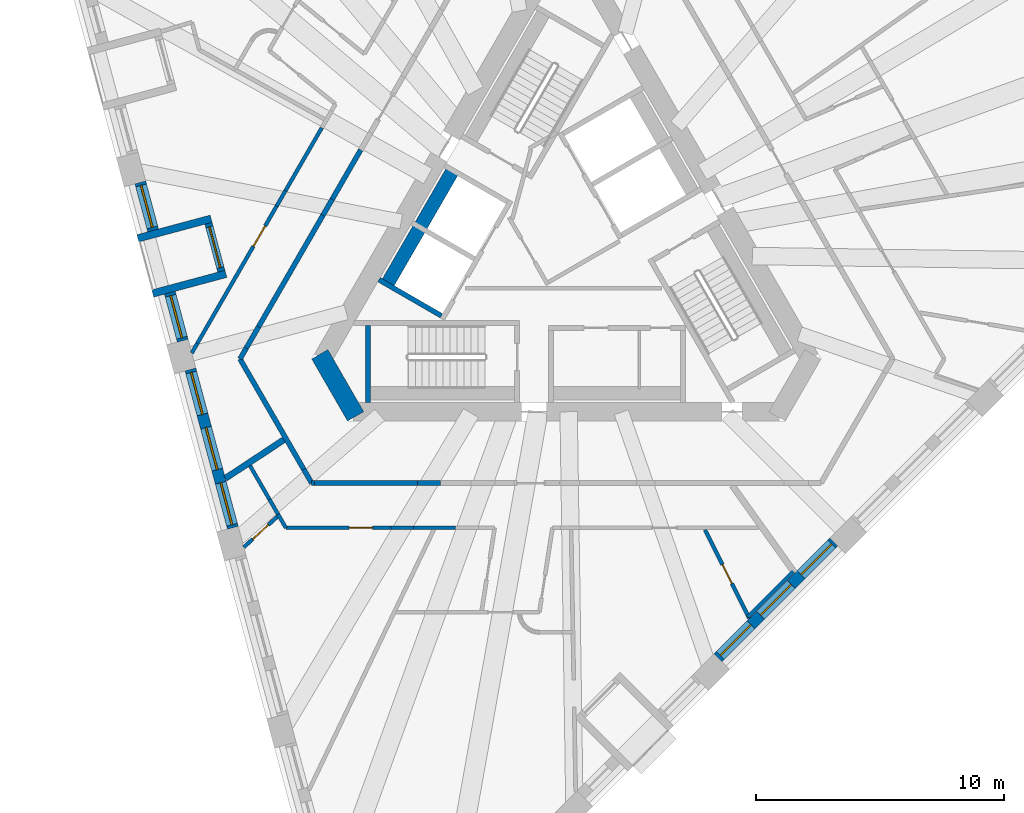
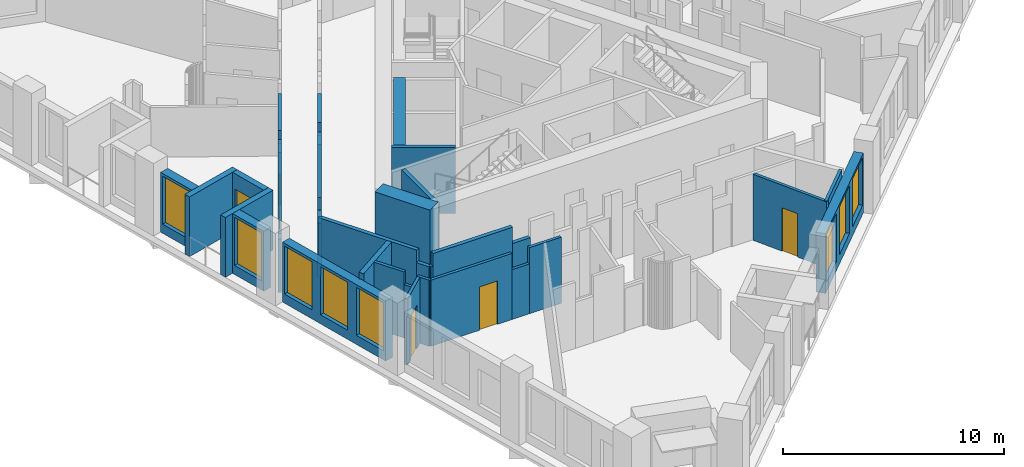
# One storey, part 3 of 13: 35 walls, 8 windows, 5 doors, 13 openings.
"""IFC4 building model written with IfcOpenShell, lengths in metres."""

from ifc_helpers import new_model, si_unit, direction, frame, frame_2d, origin, place, context, subcontext, project, spatial, rectangle, extrude, material, layer, layer_set, type_object, element, fill, save


model = new_model("IFC4")

# Units and contexts
model_context = context("Model", 3, precision=1e-05, world=origin(), true_north=direction((0.0, 1.0)))
body_context = subcontext(model_context, "Body", "Model", "MODEL_VIEW")
ifc_project = project(units=[si_unit("LENGTHUNIT", "METRE"), si_unit("AREAUNIT", "SQUARE_METRE"), si_unit("VOLUMEUNIT", "CUBIC_METRE"), si_unit("PLANEANGLEUNIT", "RADIAN"), si_unit("MASSUNIT", "GRAM", prefix="KILO")], contexts=[model_context])

# Site, building, storey
site_placement = place(None, origin())
site = spatial("IfcSite", under=ifc_project, at=site_placement, CompositionType="ELEMENT")
building_placement = place(site_placement, origin())
building = spatial("IfcBuilding", under=site, at=building_placement, Name="Tramontana Tower", CompositionType="ELEMENT")
storey_placement = place(building_placement, frame((0.0, 0.0, 212.0)))
storey = spatial("IfcBuildingStorey", under=building, at=storey_placement, Name="L49", CompositionType="ELEMENT", Elevation=212.0)

# Walls
ifc_material_1 = material(Name="Concrete 70 MPa", Category="concrete")
ifc_layer_1 = layer(ifc_material_1, 0.75)
ifc_layer_set_1 = layer_set([ifc_layer_1], Name="Core wall 750 70 MPa")
wall_type_1 = type_object("IfcWallType", Name="Core wall 750 70 MPa", PredefinedType="SHEAR", material=ifc_layer_set_1)
wall_1_placement = place(storey_placement, frame((-9.923095703125, -4.0625, 0.0), z_axis=(0.0, 0.0, 1.0), x_axis=(0.499995765644, -0.866027848477, 0.0)))
element("IfcWall", 1, at=wall_1_placement, inside=storey, type_object=wall_type_1, Name="Core wall C2 L49", PredefinedType="SHEAR", context=body_context, shape_type="SweptSolid", body=[
    extrude(rectangle(XDim=2.88671875, YDim=0.75, at=frame_2d((1.443359375, 0.0))), origin(), (0.0, 0.0, 1.0), 4.0),
])
ifc_material_2 = material(Name="Blockwork", Category="masonry")
ifc_layer_2 = layer(ifc_material_2, 0.199951171875)
ifc_layer_set_2 = layer_set([ifc_layer_2], Name="ENTRY WALL 200")
wall_type_2 = type_object("IfcWallType", Name="ENTRY WALL 200", PredefinedType="SOLIDWALL", material=ifc_layer_set_2)
wall_2_placement = place(storey_placement, frame((-5.05615234375, -9.25, 0.0), z_axis=(0.0, 0.0, 1.0), x_axis=(-1.0, 0.0, 0.0)))
element("IfcWall", 2, at=wall_2_placement, inside=storey, type_object=wall_type_2, Name="Wall v51-ew2-11", PredefinedType="SOLIDWALL", context=body_context, shape_type="SweptSolid", body=[
    extrude(rectangle(XDim=0.931640625, YDim=0.199951171875, at=frame_2d((0.4658203125, 0.0))), origin(), (0.0, 0.0, 1.0), 2.75),
])
wall_3_placement = place(storey_placement, frame((-5.98779296875, -9.25, 0.0), z_axis=(0.0, 0.0, 1.0), x_axis=(-1.0, 0.0, 0.0)))
element("IfcWall", 3, at=wall_3_placement, inside=storey, type_object=wall_type_2, Name="Wall v51-ew2-12", PredefinedType="SOLIDWALL", context=body_context, shape_type="SweptSolid", body=[
    extrude(rectangle(XDim=4.1552734375, YDim=0.199951171875, at=frame_2d((2.07763671875, 0.0))), origin(), (0.0, 0.0, 1.0), 3.64990234375),
])
wall_4_placement = place(storey_placement, frame((-10.14306640625, -9.25, 0.0), z_axis=(0.0, 0.0, 1.0), x_axis=(-1.0, 0.0, 0.0)))
element("IfcWall", 4, at=wall_4_placement, inside=storey, type_object=wall_type_2, Name="Wall v51-ew2-13", PredefinedType="SOLIDWALL", context=body_context, shape_type="SweptSolid", body=[
    extrude(rectangle(XDim=0.10498046875, YDim=0.199951171875, at=frame_2d((0.052490234375, 0.0))), origin(), (0.0, 0.0, 1.0), 2.949951171875),
])
wall_5_placement = place(storey_placement, frame((-10.248046875, -9.25, 0.0), z_axis=(0.0, 0.0, 1.0), x_axis=(-0.499733411443, 0.86617926406, 0.0)))
element("IfcWall", 5, at=wall_5_placement, inside=storey, type_object=wall_type_2, Name="Wall v51-ew3-0", PredefinedType="SOLIDWALL", context=body_context, shape_type="SweptSolid", body=[
    extrude(rectangle(XDim=0.642822265625, YDim=0.199951171875, at=frame_2d((0.3212890625, 0.0))), origin(), (0.0, 0.0, 1.0), 2.949951171875),
])
wall_6_placement = place(storey_placement, frame((-10.5693359375, -8.693115234375, 0.0), z_axis=(0.0, 0.0, 1.0), x_axis=(-0.500028638513, 0.8660088687, 0.0)))
element("IfcWall", 6, at=wall_6_placement, inside=storey, type_object=wall_type_2, Name="Wall v51-ew3-1", PredefinedType="SOLIDWALL", context=body_context, shape_type="SweptSolid", body=[
    extrude(rectangle(XDim=5.130615234375, YDim=0.199951171875, at=frame_2d((2.5654296875, 0.0))), origin(), (0.0, 0.0, 1.0), 3.64990234375),
])
wall_7_placement = place(storey_placement, frame((-13.134765625, -4.25, 0.0), z_axis=(0.0, 0.0, 1.0), x_axis=(0.500002592159, 0.866023907196, 0.0)))
element("IfcWall", 7, at=wall_7_placement, inside=storey, type_object=wall_type_2, Name="Wall v51-ew4-0", PredefinedType="SOLIDWALL", context=body_context, shape_type="SweptSolid", body=[
    extrude(rectangle(XDim=0.5029296875, YDim=0.199951171875, at=frame_2d((0.25146484375, 0.0))), origin(), (0.0, 0.0, 1.0), 3.64990234375),
])
wall_8_placement = place(storey_placement, frame((-12.88330078125, -3.814453125, 0.0), z_axis=(0.0, 0.0, 1.0), x_axis=(0.500063959222, 0.865988473761, 0.0)))
element("IfcWall", 8, at=wall_8_placement, inside=storey, type_object=wall_type_2, Name="Wall v51-ew4-1", PredefinedType="SOLIDWALL", context=body_context, shape_type="SweptSolid", body=[
    extrude(rectangle(XDim=0.989990234375, YDim=0.199951171875, at=frame_2d((0.4951171875, 0.0))), origin(), (0.0, 0.0, 1.0), 2.949951171875),
])
wall_9_placement = place(storey_placement, frame((-12.38818359375, -2.95703125, 0.0), z_axis=(0.0, 0.0, 1.0), x_axis=(0.499990271856, 0.866031020258, 0.0)))
element("IfcWall", 9, at=wall_9_placement, inside=storey, type_object=wall_type_2, Name="Wall v51-ew4-2", PredefinedType="SOLIDWALL", context=body_context, shape_type="SweptSolid", body=[
    extrude(rectangle(XDim=5.181640625, YDim=0.199951171875, at=frame_2d((2.5908203125, 0.0))), origin(), (0.0, 0.0, 1.0), 3.64990234375),
])
wall_10_placement = place(storey_placement, frame((-9.79736328125, 1.530517578125, 0.0), z_axis=(0.0, 0.0, 1.0), x_axis=(0.499931655587, 0.866064858854, 0.0)))
element("IfcWall", 10, at=wall_10_placement, inside=storey, type_object=wall_type_2, Name="Wall v51-ew4-3", PredefinedType="SOLIDWALL", context=body_context, shape_type="SweptSolid", body=[
    extrude(rectangle(XDim=0.74072265625, YDim=0.199951171875, at=frame_2d((0.370361328125, 0.0))), origin(), (0.0, 0.0, 1.0), 2.949951171875),
])
wall_11_placement = place(storey_placement, frame((-9.427001953125, 2.172119140625, 0.0), z_axis=(0.0, 0.0, 1.0), x_axis=(0.500013761451, 0.866017458461, 0.0)))
element("IfcWall", 11, at=wall_11_placement, inside=storey, type_object=wall_type_2, Name="Wall v51-ew4-4", PredefinedType="SOLIDWALL", context=body_context, shape_type="SweptSolid", body=[
    extrude(rectangle(XDim=2.29736328125, YDim=0.199951171875, at=frame_2d((1.148681640625, 0.0))), origin(), (0.0, 0.0, 1.0), 3.64990234375),
])

# Wall, opening, window
ifc_material_3 = material(Name="Precast concrete 60 MPa", Category="concrete")
ifc_layer_3 = layer(ifc_material_3, 0.449951171875)
ifc_layer_set_3 = layer_set([ifc_layer_3], Name="Precast concrete 60 MPa, 450 mm")
wall_type_3 = type_object("IfcWallType", Name="EW1 Stone-faced precast wall 450", PredefinedType="SOLIDWALL", material=ifc_layer_set_3)
wall_12_placement = place(storey_placement, frame((-17.147705078125, 2.853271484375, 0.0), z_axis=(0.0, 0.0, 1.0), x_axis=(0.258803270362, -0.96593005298, 0.0)))
wall_12 = element("IfcWall", 12, at=wall_12_placement, inside=storey, type_object=wall_type_3, Name="External wall L49 face 0 bay 3", PredefinedType="SOLIDWALL", context=body_context, shape_type="SweptSolid", body=[
    extrude(rectangle(XDim=1.998046875, YDim=0.449951171875, at=frame_2d((0.9990234375, 0.0))), origin(), (0.0, 0.0, 1.0), 3.300048828125),
])
opening_1_placement = place(wall_12_placement, frame((0.1240234375, 0.0, 0.5)))
opening_1 = element("IfcOpeningElement", 13, at=opening_1_placement, cuts=wall_12, Name="Opening M2", PredefinedType="OPENING", context=body_context, shape_type="SweptSolid", body=[
    extrude(rectangle(XDim=1.75, YDim=2.64990234375, at=frame_2d((0.875, 1.324951171875))), frame((0.0, 0.23486328125, 0.0), z_axis=(0.0, -1.0, 0.0), x_axis=(1.0, 0.0, 0.0)), (0.0, 0.0, 1.0), 0.469970703125),
])
ifc_material_4 = material(Name="Aluminum frame, double glazing unit", Category="aluminium")
window_type = type_object("IfcWindowType", Name="M2 Window 1.75 x 2.65", PartitioningType="SINGLE_PANEL", PredefinedType="WINDOW", material=ifc_material_4)
window_1_placement = place(opening_1_placement, origin())
window_1 = element("IfcWindow", 14, at=window_1_placement, inside=storey, type_object=window_type, Name="Window M2 L49 face 0 module 7", OverallHeight=2.64990234375, OverallWidth=1.75, PartitioningType="SINGLE_PANEL", PredefinedType="WINDOW", context=body_context, shape_type="SweptSolid", body=[
    extrude(rectangle(XDim=1.75, YDim=2.64990234375, at=frame_2d((0.875, 1.324951171875))), frame((0.0, 0.030029296875, 0.0), z_axis=(0.0, -1.0, 0.0), x_axis=(1.0, 0.0, 0.0)), (0.0, 0.0, 1.0), 0.06005859375),
])
fill(opening_1, window_1)

wall_13_placement = place(storey_placement, frame((-15.958251953125, -1.586181640625, 0.0), z_axis=(0.0, 0.0, 1.0), x_axis=(0.258772727493, -0.965938235865, 0.0)))
wall_13 = element("IfcWall", 15, at=wall_13_placement, inside=storey, type_object=wall_type_3, Name="External wall L49 face 0 bay 3", PredefinedType="SOLIDWALL", context=body_context, shape_type="SweptSolid", body=[
    extrude(rectangle(XDim=1.998291015625, YDim=0.449951171875, at=frame_2d((0.9990234375, 0.0))), origin(), (0.0, 0.0, 1.0), 3.300048828125),
])
opening_2_placement = place(wall_13_placement, frame((0.1240234375, 0.0, 0.5)))
opening_2 = element("IfcOpeningElement", 16, at=opening_2_placement, cuts=wall_13, Name="Opening M2", PredefinedType="OPENING", context=body_context, shape_type="SweptSolid", body=[
    extrude(rectangle(XDim=1.75, YDim=2.64990234375, at=frame_2d((0.875, 1.324951171875))), frame((0.0, 0.23486328125, 0.0), z_axis=(0.0, -1.0, 0.0), x_axis=(1.0, 0.0, 0.0)), (0.0, 0.0, 1.0), 0.469970703125),
])
window_2_placement = place(opening_2_placement, origin())
window_2 = element("IfcWindow", 17, at=window_2_placement, inside=storey, type_object=window_type, Name="Window M2 L49 face 0 module 9", OverallHeight=2.64990234375, OverallWidth=1.75, PartitioningType="SINGLE_PANEL", PredefinedType="WINDOW", context=body_context, shape_type="SweptSolid", body=[
    extrude(rectangle(XDim=1.75, YDim=2.64990234375, at=frame_2d((0.875, 1.324951171875))), frame((0.0, 0.030029296875, 0.0), z_axis=(0.0, -1.0, 0.0), x_axis=(1.0, 0.0, 0.0)), (0.0, 0.0, 1.0), 0.06005859375),
])
fill(opening_2, window_2)

# Wall, openings, windows
wall_14_placement = place(storey_placement, frame((-15.13037109375, -4.67529296875, 0.0), z_axis=(0.0, 0.0, 1.0), x_axis=(0.258791602952, -0.965933178973, 0.0)))
wall_14 = element("IfcWall", 18, at=wall_14_placement, inside=storey, type_object=wall_type_3, Name="External wall L49 face 0 bay 4", PredefinedType="SOLIDWALL", context=body_context, shape_type="SweptSolid", body=[
    extrude(rectangle(XDim=6.59423828125, YDim=0.449951171875, at=frame_2d((3.297119140625, 0.0))), origin(), (0.0, 0.0, 1.0), 3.300048828125),
])
opening_3_placement = place(wall_14_placement, frame((0.1240234375, 0.0, 0.5)))
opening_3 = element("IfcOpeningElement", 19, at=opening_3_placement, cuts=wall_14, Name="Opening M2", PredefinedType="OPENING", context=body_context, shape_type="SweptSolid", body=[
    extrude(rectangle(XDim=1.75, YDim=2.64990234375, at=frame_2d((0.875, 1.324951171875))), frame((0.0, 0.23486328125, 0.0), z_axis=(0.0, -1.0, 0.0), x_axis=(1.0, 0.0, 0.0)), (0.0, 0.0, 1.0), 0.469970703125),
])
opening_4_placement = place(wall_14_placement, frame((2.422119140625, 0.0, 0.5)))
opening_4 = element("IfcOpeningElement", 20, at=opening_4_placement, cuts=wall_14, Name="Opening M2", PredefinedType="OPENING", context=body_context, shape_type="SweptSolid", body=[
    extrude(rectangle(XDim=1.75, YDim=2.64990234375, at=frame_2d((0.875, 1.324951171875))), frame((0.0, 0.23486328125, 0.0), z_axis=(0.0, -1.0, 0.0), x_axis=(1.0, 0.0, 0.0)), (0.0, 0.0, 1.0), 0.469970703125),
])
opening_5_placement = place(wall_14_placement, frame((4.72021484375, 0.0, 0.5)))
opening_5 = element("IfcOpeningElement", 21, at=opening_5_placement, cuts=wall_14, Name="Opening M2", PredefinedType="OPENING", context=body_context, shape_type="SweptSolid", body=[
    extrude(rectangle(XDim=1.75, YDim=2.64990234375, at=frame_2d((0.875, 1.324951171875))), frame((0.0, 0.23486328125, 0.0), z_axis=(0.0, -1.0, 0.0), x_axis=(1.0, 0.0, 0.0)), (0.0, 0.0, 1.0), 0.469970703125),
])
window_3_placement = place(opening_3_placement, origin())
window_3 = element("IfcWindow", 22, at=window_3_placement, inside=storey, type_object=window_type, Name="Window M2 L49 face 0 module 10", OverallHeight=2.64990234375, OverallWidth=1.75, PartitioningType="SINGLE_PANEL", PredefinedType="WINDOW", context=body_context, shape_type="SweptSolid", body=[
    extrude(rectangle(XDim=1.75, YDim=2.64990234375, at=frame_2d((0.875, 1.324951171875))), frame((0.0, 0.030029296875, 0.0), z_axis=(0.0, -1.0, 0.0), x_axis=(1.0, 0.0, 0.0)), (0.0, 0.0, 1.0), 0.06005859375),
])
fill(opening_3, window_3)
window_4_placement = place(opening_4_placement, origin())
window_4 = element("IfcWindow", 23, at=window_4_placement, inside=storey, type_object=window_type, Name="Window M2 L49 face 0 module 11", OverallHeight=2.64990234375, OverallWidth=1.75, PartitioningType="SINGLE_PANEL", PredefinedType="WINDOW", context=body_context, shape_type="SweptSolid", body=[
    extrude(rectangle(XDim=1.75, YDim=2.64990234375, at=frame_2d((0.875, 1.324951171875))), frame((0.0, 0.030029296875, 0.0), z_axis=(0.0, -1.0, 0.0), x_axis=(1.0, 0.0, 0.0)), (0.0, 0.0, 1.0), 0.06005859375),
])
fill(opening_4, window_4)
window_5_placement = place(opening_5_placement, origin())
window_5 = element("IfcWindow", 24, at=window_5_placement, inside=storey, type_object=window_type, Name="Window M2 L49 face 0 module 12", OverallHeight=2.64990234375, OverallWidth=1.75, PartitioningType="SINGLE_PANEL", PredefinedType="WINDOW", context=body_context, shape_type="SweptSolid", body=[
    extrude(rectangle(XDim=1.75, YDim=2.64990234375, at=frame_2d((0.875, 1.324951171875))), frame((0.0, 0.030029296875, 0.0), z_axis=(0.0, -1.0, 0.0), x_axis=(1.0, 0.0, 0.0)), (0.0, 0.0, 1.0), 0.06005859375),
])
fill(opening_5, window_5)

wall_15_placement = place(storey_placement, frame((6.102783203125, -16.277099609375, 0.0), z_axis=(0.0, 0.0, 1.0), x_axis=(0.707106781187, 0.707106781187, 0.0)))
wall_15 = element("IfcWall", 25, at=wall_15_placement, inside=storey, type_object=wall_type_3, Name="External wall L49 face 1 bay 3", PredefinedType="SOLIDWALL", context=body_context, shape_type="SweptSolid", body=[
    extrude(rectangle(XDim=6.59423828125, YDim=0.449951171875, at=frame_2d((3.297119140625, 0.0))), origin(), (0.0, 0.0, 1.0), 3.300048828125),
])
opening_6_placement = place(wall_15_placement, frame((0.1240234375, 0.0, 0.5)))
opening_6 = element("IfcOpeningElement", 26, at=opening_6_placement, cuts=wall_15, Name="Opening M2", PredefinedType="OPENING", context=body_context, shape_type="SweptSolid", body=[
    extrude(rectangle(XDim=1.75, YDim=2.64990234375, at=frame_2d((0.875, 1.324951171875))), frame((0.0, 0.23486328125, 0.0), z_axis=(0.0, -1.0, 0.0), x_axis=(1.0, 0.0, 0.0)), (0.0, 0.0, 1.0), 0.469970703125),
])
opening_7_placement = place(wall_15_placement, frame((2.422119140625, 0.0, 0.5)))
opening_7 = element("IfcOpeningElement", 27, at=opening_7_placement, cuts=wall_15, Name="Opening M2", PredefinedType="OPENING", context=body_context, shape_type="SweptSolid", body=[
    extrude(rectangle(XDim=1.75, YDim=2.64990234375, at=frame_2d((0.875, 1.324951171875))), frame((0.0, 0.23486328125, 0.0), z_axis=(0.0, -1.0, 0.0), x_axis=(1.0, 0.0, 0.0)), (0.0, 0.0, 1.0), 0.469970703125),
])
opening_8_placement = place(wall_15_placement, frame((4.72021484375, 0.0, 0.5)))
opening_8 = element("IfcOpeningElement", 28, at=opening_8_placement, cuts=wall_15, Name="Opening M2", PredefinedType="OPENING", context=body_context, shape_type="SweptSolid", body=[
    extrude(rectangle(XDim=1.75, YDim=2.64990234375, at=frame_2d((0.875, 1.324951171875))), frame((0.0, 0.23486328125, 0.0), z_axis=(0.0, -1.0, 0.0), x_axis=(1.0, 0.0, 0.0)), (0.0, 0.0, 1.0), 0.469970703125),
])
window_6_placement = place(opening_6_placement, origin())
window_6 = element("IfcWindow", 29, at=window_6_placement, inside=storey, type_object=window_type, Name="Window M2 L49 face 1 module 7", OverallHeight=2.64990234375, OverallWidth=1.75, PartitioningType="SINGLE_PANEL", PredefinedType="WINDOW", context=body_context, shape_type="SweptSolid", body=[
    extrude(rectangle(XDim=1.75, YDim=2.64990234375, at=frame_2d((0.875, 1.324951171875))), frame((0.0, 0.030029296875, 0.0), z_axis=(0.0, -1.0, 0.0), x_axis=(1.0, 0.0, 0.0)), (0.0, 0.0, 1.0), 0.06005859375),
])
fill(opening_6, window_6)
window_7_placement = place(opening_7_placement, origin())
window_7 = element("IfcWindow", 30, at=window_7_placement, inside=storey, type_object=window_type, Name="Window M2 L49 face 1 module 8", OverallHeight=2.64990234375, OverallWidth=1.75, PartitioningType="SINGLE_PANEL", PredefinedType="WINDOW", context=body_context, shape_type="SweptSolid", body=[
    extrude(rectangle(XDim=1.75, YDim=2.64990234375, at=frame_2d((0.875, 1.324951171875))), frame((0.0, 0.030029296875, 0.0), z_axis=(0.0, -1.0, 0.0), x_axis=(1.0, 0.0, 0.0)), (0.0, 0.0, 1.0), 0.06005859375),
])
fill(opening_7, window_7)
window_8_placement = place(opening_8_placement, origin())
window_8 = element("IfcWindow", 31, at=window_8_placement, inside=storey, type_object=window_type, Name="Window M2 L49 face 1 module 9", OverallHeight=2.64990234375, OverallWidth=1.75, PartitioningType="SINGLE_PANEL", PredefinedType="WINDOW", context=body_context, shape_type="SweptSolid", body=[
    extrude(rectangle(XDim=1.75, YDim=2.64990234375, at=frame_2d((0.875, 1.324951171875))), frame((0.0, 0.030029296875, 0.0), z_axis=(0.0, -1.0, 0.0), x_axis=(1.0, 0.0, 0.0)), (0.0, 0.0, 1.0), 0.06005859375),
])
fill(opening_8, window_8)

# Wall, opening, door
ifc_material_5 = material(Name="Precast concrete 60 MPa", Category="concrete")
ifc_layer_4 = layer(ifc_material_5, 0.300048828125)
ifc_layer_set_4 = layer_set([ifc_layer_4], Name="LW1 Stone-faced loggia wall 300")
wall_type_4 = type_object("IfcWallType", Name="LW1 Stone-faced loggia wall 300", PredefinedType="SOLIDWALL", material=ifc_layer_set_4)
wall_16_placement = place(storey_placement, frame((-14.40380859375, 1.20947265625, 0.0), z_axis=(0.0, 0.0, 1.0), x_axis=(0.258772727493, -0.965938235865, 0.0)))
wall_16 = element("IfcWall", 32, at=wall_16_placement, inside=storey, type_object=wall_type_4, Name="Loggia wall L49 G5S0.7", PredefinedType="SOLIDWALL", context=body_context, shape_type="SweptSolid", body=[
    extrude(rectangle(XDim=1.998291015625, YDim=0.300048828125, at=frame_2d((0.9990234375, 0.0))), origin(), (0.0, 0.0, 1.0), 3.300048828125),
])
opening_9_placement = place(wall_16_placement, frame((0.14892578125, 0.0, 0.0)))
opening_9 = element("IfcOpeningElement", 33, at=opening_9_placement, cuts=wall_16, Name="Opening BD-5S0-07", PredefinedType="OPENING", context=body_context, shape_type="SweptSolid", body=[
    extrude(rectangle(XDim=1.699951171875, YDim=2.449951171875, at=frame_2d((0.85009765625, 1.22509765625))), frame((0.0, 0.159912109375, 0.0), z_axis=(0.0, -1.0, 0.0), x_axis=(1.0, 0.0, 0.0)), (0.0, 0.0, 1.0), 0.320068359375),
])
ifc_material_6 = material(Name="Aluminum frame, double glazing unit", Category="aluminium")
door_type_1 = type_object("IfcDoorType", Name="BD2 Sliding door 1.7 x 2.45", OperationType="SLIDING_TO_LEFT", PredefinedType="DOOR", material=ifc_material_6)
door_1_placement = place(opening_9_placement, origin())
door_1 = element("IfcDoor", 34, at=door_1_placement, inside=storey, type_object=door_type_1, Name="Loggia door L49 G5S0.7", OperationType="SLIDING_TO_LEFT", OverallHeight=2.449951171875, OverallWidth=1.699951171875, PredefinedType="DOOR", context=body_context, shape_type="SweptSolid", body=[
    extrude(rectangle(XDim=1.699951171875, YDim=2.449951171875, at=frame_2d((0.85009765625, 1.22509765625))), frame((0.0, 0.02490234375, 0.0), z_axis=(0.0, -1.0, 0.0), x_axis=(1.0, 0.0, 0.0)), (0.0, 0.0, 1.0), 0.050048828125),
])
fill(opening_9, door_1)

# Walls
for number, where, z_axis, x_axis, name in (
    (35, (-17.243896484375, 0.603759765625, 0.0), (0.0, 0.0, 1.0), (0.965932688119, 0.258793435045, 0.0), "Loggia return L49 G5S0.7a"),
    (36, (-16.64892578125, -1.615966796875, 0.0), (0.0, 0.0, 1.0), (0.965932688119, 0.258793435045, 0.0), "Loggia return L49 G5S0.7b"),
):
    element("IfcWall", number, at=place(storey_placement, frame(where, z_axis=z_axis, x_axis=x_axis)), inside=storey, type_object=wall_type_4, Name=name, PredefinedType="SOLIDWALL", context=body_context, shape_type="SweptSolid", body=[
        extrude(rectangle(XDim=3.050048828125, YDim=0.300048828125, at=frame_2d((1.52490234375, 0.0))), origin(), (0.0, 0.0, 1.0), 3.300048828125),
    ])
ifc_material_7 = material(Name="Gypsum board partition")
ifc_layer_5 = layer(ifc_material_7, 0.14990234375)
ifc_layer_set_5 = layer_set([ifc_layer_5], Name="PARTITION 150")
wall_type_5 = type_object("IfcWallType", Name="PARTITION 150", PredefinedType="PARTITIONING", material=ifc_layer_set_5)
wall_17_placement = place(storey_placement, frame((-15.075439453125, -4.011474609375, 0.0), z_axis=(0.0, 0.0, 1.0), x_axis=(0.500027377864, 0.86600959659, 0.0)))
element("IfcWall", 37, at=wall_17_placement, inside=storey, type_object=wall_type_5, Name="Wall v51-pw01-0", PredefinedType="PARTITIONING", context=body_context, shape_type="SweptSolid", body=[
    extrude(rectangle(XDim=0.43896484375, YDim=0.14990234375, at=frame_2d((0.219482421875, 0.0))), origin(), (0.0, 0.0, 1.0), 2.949951171875),
])

# Wall, opening, door
wall_18_placement = place(storey_placement, frame((-14.85595703125, -3.63134765625, 0.0), z_axis=(0.0, 0.0, 1.0), x_axis=(0.49999366119, 0.866029063467, 0.0)))
wall_18 = element("IfcWall", 38, at=wall_18_placement, inside=storey, type_object=wall_type_5, Name="Wall v51-pw01-1", PredefinedType="PARTITIONING", context=body_context, shape_type="SweptSolid", body=[
    extrude(rectangle(XDim=6.3896484375, YDim=0.14990234375, at=frame_2d((3.19482421875, 0.0))), origin(), (0.0, 0.0, 1.0), 3.64990234375),
])
opening_10_placement = place(wall_18_placement, frame((4.517333984375, 0.0, 0.0)))
opening_10 = element("IfcOpeningElement", 39, at=opening_10_placement, cuts=wall_18, Name="Opening B5B-05", PredefinedType="OPENING", context=body_context, shape_type="SweptSolid", body=[
    extrude(rectangle(XDim=0.949951171875, YDim=2.39990234375, at=frame_2d((0.47509765625, 1.199951171875))), frame((0.0, 0.0849609375, 0.0), z_axis=(0.0, -1.0, 0.0), x_axis=(1.0, 0.0, 0.0)), (0.0, 0.0, 1.0), 0.169921875),
])
ifc_material_8 = material(Name="Painted timber", Category="wood")
door_type_2 = type_object("IfcDoorType", Name="DOOR ROOM 950", OperationType="SINGLE_SWING_LEFT", PredefinedType="DOOR", material=ifc_material_8)
door_2_placement = place(opening_10_placement, origin())
door_2 = element("IfcDoor", 40, at=door_2_placement, inside=storey, type_object=door_type_2, Name="Door B5B-05", OperationType="SINGLE_SWING_LEFT", OverallHeight=2.39990234375, OverallWidth=0.949951171875, PredefinedType="DOOR", context=body_context, shape_type="SweptSolid", body=[
    extrude(rectangle(XDim=0.949951171875, YDim=2.39990234375, at=frame_2d((0.47509765625, 1.199951171875))), frame((0.0, 0.02490234375, 0.0), z_axis=(0.0, -1.0, 0.0), x_axis=(1.0, 0.0, 0.0)), (0.0, 0.0, 1.0), 0.050048828125),
])
fill(opening_10, door_2)

# Walls
wall_19_placement = place(storey_placement, frame((-11.6611328125, 1.90234375, 0.0), z_axis=(0.0, 0.0, 1.0), x_axis=(0.499998569178, 0.866026229868, 0.0)))
element("IfcWall", 41, at=wall_19_placement, inside=storey, type_object=wall_type_5, Name="Wall v51-pw01-2", PredefinedType="PARTITIONING", context=body_context, shape_type="SweptSolid", body=[
    extrude(rectangle(XDim=0.71435546875, YDim=0.14990234375, at=frame_2d((0.357177734375, 0.0))), origin(), (0.0, 0.0, 1.0), 2.949951171875),
])
wall_20_placement = place(storey_placement, frame((-11.303955078125, 2.52099609375, 0.0), z_axis=(0.0, 0.0, 1.0), x_axis=(0.49998782916, 0.866032430508, 0.0)))
element("IfcWall", 42, at=wall_20_placement, inside=storey, type_object=wall_type_5, Name="Wall v51-pw01-3", PredefinedType="PARTITIONING", context=body_context, shape_type="SweptSolid", body=[
    extrude(rectangle(XDim=2.919921875, YDim=0.14990234375, at=frame_2d((1.4599609375, 0.0))), origin(), (0.0, 0.0, 1.0), 3.64990234375),
])

# Wall, opening, door
wall_21_placement = place(storey_placement, frame((-12.98095703125, -11.828369140625, 0.0), z_axis=(0.0, 0.0, 1.0), x_axis=(0.739151893592, 0.673538772603, 0.0)))
wall_21 = element("IfcWall", 43, at=wall_21_placement, inside=storey, type_object=wall_type_5, Name="Wall v51-pw22", PredefinedType="PARTITIONING", context=body_context, shape_type="SweptSolid", body=[
    extrude(rectangle(XDim=1.8232421875, YDim=0.14990234375, at=frame_2d((0.91162109375, 0.0))), origin(), (0.0, 0.0, 1.0), 3.64990234375),
])
opening_11_placement = place(wall_21_placement, frame((0.486572265625, 0.0, 0.0)))
opening_11 = element("IfcOpeningElement", 44, at=opening_11_placement, cuts=wall_21, Name="Opening B5B-11", PredefinedType="OPENING", context=body_context, shape_type="SweptSolid", body=[
    extrude(rectangle(XDim=0.85009765625, YDim=2.39990234375, at=frame_2d((0.425048828125, 1.199951171875))), frame((0.0, 0.0849609375, 0.0), z_axis=(0.0, -1.0, 0.0), x_axis=(1.0, 0.0, 0.0)), (0.0, 0.0, 1.0), 0.169921875),
])
ifc_material_9 = material(Name="Painted timber", Category="wood")
door_type_3 = type_object("IfcDoorType", Name="DOOR BATH 850", OperationType="SINGLE_SWING_LEFT", PredefinedType="DOOR", material=ifc_material_9)
door_3_placement = place(opening_11_placement, origin())
door_3 = element("IfcDoor", 45, at=door_3_placement, inside=storey, type_object=door_type_3, Name="Door B5B-11", OperationType="SINGLE_SWING_LEFT", OverallHeight=2.39990234375, OverallWidth=0.85009765625, PredefinedType="DOOR", context=body_context, shape_type="SweptSolid", body=[
    extrude(rectangle(XDim=0.85009765625, YDim=2.39990234375, at=frame_2d((0.425048828125, 1.199951171875))), frame((0.0, 0.02490234375, 0.0), z_axis=(0.0, -1.0, 0.0), x_axis=(1.0, 0.0, 0.0)), (0.0, 0.0, 1.0), 0.050048828125),
])
fill(opening_11, door_3)

# Walls
wall_22_placement = place(storey_placement, frame((-11.287109375, -11.050048828125, 0.0), z_axis=(0.0, 0.0, 1.0), x_axis=(-0.500187988959, 0.865916841101, 0.0)))
element("IfcWall", 46, at=wall_22_placement, inside=storey, type_object=wall_type_5, Name="Wall v51-pw24-0", PredefinedType="PARTITIONING", context=body_context, shape_type="SweptSolid", body=[
    extrude(rectangle(XDim=0.635498046875, YDim=0.14990234375, at=frame_2d((0.31787109375, 0.0))), origin(), (0.0, 0.0, 1.0), 3.64990234375),
])
wall_23_placement = place(storey_placement, frame((-11.60498046875, -10.499755859375, 0.0), z_axis=(0.0, 0.0, 1.0), x_axis=(-0.499845467243, 0.866114604932, 0.0)))
element("IfcWall", 47, at=wall_23_placement, inside=storey, type_object=wall_type_5, Name="Wall v51-pw24-1", PredefinedType="PARTITIONING", context=body_context, shape_type="SweptSolid", body=[
    extrude(rectangle(XDim=0.687255859375, YDim=0.14990234375, at=frame_2d((0.34375, 0.0))), origin(), (0.0, 0.0, 1.0), 2.949951171875),
])
wall_24_placement = place(storey_placement, frame((-11.948486328125, -9.904541015625, 0.0), z_axis=(0.0, 0.0, 1.0), x_axis=(-0.500069428396, 0.86598531557, 0.0)))
element("IfcWall", 48, at=wall_24_placement, inside=storey, type_object=wall_type_5, Name="Wall v51-pw24-2", PredefinedType="PARTITIONING", context=body_context, shape_type="SweptSolid", body=[
    extrude(rectangle(XDim=1.563232421875, YDim=0.14990234375, at=frame_2d((0.78173828125, 0.0))), origin(), (0.0, 0.0, 1.0), 3.64990234375),
])
wall_25_placement = place(storey_placement, frame((-4.4677734375, -11.050048828125, 0.0), z_axis=(0.0, 0.0, 1.0), x_axis=(-1.0, 0.0, 0.0)))
element("IfcWall", 49, at=wall_25_placement, inside=storey, type_object=wall_type_5, Name="Wall v51-pw32-2", PredefinedType="PARTITIONING", context=body_context, shape_type="SweptSolid", body=[
    extrude(rectangle(XDim=1.677490234375, YDim=0.14990234375, at=frame_2d((0.8388671875, 0.0))), origin(), (0.0, 0.0, 1.0), 3.64990234375),
])
wall_26_placement = place(storey_placement, frame((-6.145263671875, -11.050048828125, 0.0), z_axis=(0.0, 0.0, 1.0), x_axis=(-1.0, 0.0, 0.0)))
element("IfcWall", 50, at=wall_26_placement, inside=storey, type_object=wall_type_5, Name="Wall v51-pw32-3", PredefinedType="PARTITIONING", context=body_context, shape_type="SweptSolid", body=[
    extrude(rectangle(XDim=0.902587890625, YDim=0.14990234375, at=frame_2d((0.451171875, 0.0))), origin(), (0.0, 0.0, 1.0), 2.75),
])

# Wall, opening, door
wall_27_placement = place(storey_placement, frame((-7.0478515625, -11.050048828125, 0.0), z_axis=(0.0, 0.0, 1.0), x_axis=(-1.0, 0.0, 0.0)))
wall_27 = element("IfcWall", 51, at=wall_27_placement, inside=storey, type_object=wall_type_5, Name="Wall v51-pw32-4", PredefinedType="PARTITIONING", context=body_context, shape_type="SweptSolid", body=[
    extrude(rectangle(XDim=4.2392578125, YDim=0.14990234375, at=frame_2d((2.11962890625, 0.0))), origin(), (0.0, 0.0, 1.0), 3.64990234375),
])
opening_12_placement = place(wall_27_placement, frame((0.7490234375, 0.0, 0.0)))
opening_12 = element("IfcOpeningElement", 52, at=opening_12_placement, cuts=wall_27, Name="Opening B5B-09", PredefinedType="OPENING", context=body_context, shape_type="SweptSolid", body=[
    extrude(rectangle(XDim=0.949951171875, YDim=2.39990234375, at=frame_2d((0.47509765625, 1.199951171875))), frame((0.0, 0.0849609375, 0.0), z_axis=(0.0, -1.0, 0.0), x_axis=(1.0, 0.0, 0.0)), (0.0, 0.0, 1.0), 0.169921875),
])
door_4_placement = place(opening_12_placement, origin())
door_4 = element("IfcDoor", 53, at=door_4_placement, inside=storey, type_object=door_type_2, Name="Door B5B-09", OperationType="SINGLE_SWING_LEFT", OverallHeight=2.39990234375, OverallWidth=0.949951171875, PredefinedType="DOOR", context=body_context, shape_type="SweptSolid", body=[
    extrude(rectangle(XDim=0.949951171875, YDim=2.39990234375, at=frame_2d((0.47509765625, 1.199951171875))), frame((0.0, 0.02490234375, 0.0), z_axis=(0.0, -1.0, 0.0), x_axis=(1.0, 0.0, 0.0)), (0.0, 0.0, 1.0), 0.050048828125),
])
fill(opening_12, door_4)

wall_28_placement = place(storey_placement, frame((5.57763671875, -11.125, 0.0), z_axis=(0.0, 0.0, 1.0), x_axis=(0.448167148519, -0.893949778784, 0.0)))
wall_28 = element("IfcWall", 54, at=wall_28_placement, inside=storey, type_object=wall_type_5, Name="Wall v51-pw56", PredefinedType="PARTITIONING", context=body_context, shape_type="SweptSolid", body=[
    extrude(rectangle(XDim=3.9931640625, YDim=0.14990234375, at=frame_2d((1.99658203125, 0.0))), origin(), (0.0, 0.0, 1.0), 3.64990234375),
])
opening_13_placement = place(wall_28_placement, frame((1.571533203125, 0.0, 0.0)))
opening_13 = element("IfcOpeningElement", 55, at=opening_13_placement, cuts=wall_28, Name="Opening B5B-12", PredefinedType="OPENING", context=body_context, shape_type="SweptSolid", body=[
    extrude(rectangle(XDim=0.85009765625, YDim=2.39990234375, at=frame_2d((0.425048828125, 1.199951171875))), frame((0.0, 0.0849609375, 0.0), z_axis=(0.0, -1.0, 0.0), x_axis=(1.0, 0.0, 0.0)), (0.0, 0.0, 1.0), 0.169921875),
])
door_5_placement = place(opening_13_placement, origin())
door_5 = element("IfcDoor", 56, at=door_5_placement, inside=storey, type_object=door_type_3, Name="Door B5B-12", OperationType="SINGLE_SWING_RIGHT", OverallHeight=2.39990234375, OverallWidth=0.85009765625, PredefinedType="DOOR", context=body_context, shape_type="SweptSolid", body=[
    extrude(rectangle(XDim=0.85009765625, YDim=2.39990234375, at=frame_2d((0.425048828125, 1.199951171875))), frame((0.0, 0.02490234375, 0.0), z_axis=(0.0, -1.0, 0.0), x_axis=(1.0, 0.0, 0.0)), (0.0, 0.0, 1.0), 0.050048828125),
])
fill(opening_13, door_5)

# Walls
wall_29_placement = place(storey_placement, frame((9.133544921875, -12.807861328125, 0.0), z_axis=(0.0, 0.0, 1.0), x_axis=(-0.707059522588, -0.707154036627, 0.0)))
element("IfcWall", 57, at=wall_29_placement, inside=storey, type_object=wall_type_5, Name="Wall v51-pw59", PredefinedType="PARTITIONING", context=body_context, shape_type="SweptSolid", body=[
    extrude(rectangle(XDim=2.5830078125, YDim=0.14990234375, at=frame_2d((1.29150390625, 0.0))), origin(), (0.0, 0.0, 1.0), 3.64990234375),
])
ifc_material_10 = material(Name="Blockwork", Category="masonry")
ifc_layer_6 = layer(ifc_material_10, 0.25)
ifc_layer_set_6 = layer_set([ifc_layer_6], Name="PARTY WALL 250")
wall_type_6 = type_object("IfcWallType", Name="PARTY WALL 250", PredefinedType="SOLIDWALL", material=ifc_layer_set_6)
wall_30_placement = place(storey_placement, frame((-11.371337890625, -7.50439453125, 0.0), z_axis=(0.0, 0.0, 1.0), x_axis=(-0.834626930772, -0.550815655579, 0.0)))
element("IfcWall", 58, at=wall_30_placement, inside=storey, type_object=wall_type_6, Name="Wall v51-pw23", PredefinedType="SOLIDWALL", context=body_context, shape_type="SweptSolid", body=[
    extrude(rectangle(XDim=2.818115234375, YDim=0.25, at=frame_2d((1.4091796875, 0.0))), origin(), (0.0, 0.0, 1.0), 3.64990234375),
])
ifc_material_11 = material(Name="Concrete 70 MPa", Category="concrete")
ifc_layer_7 = layer(ifc_material_11, 0.550048828125)
ifc_layer_set_7 = layer_set([ifc_layer_7], Name="Concrete 70 MPa, 550 mm")
wall_type_7 = type_object("IfcWallType", Name="RC SHAFT BACK WALL 550", PredefinedType="SOLIDWALL", material=ifc_layer_set_7)
wall_31_placement = place(storey_placement, frame((-4.516357421875, 3.427490234375, 0.0), z_axis=(0.0, 0.0, 1.0), x_axis=(-0.499996545922, -0.866027397988, 0.0)))
element("IfcWall", 59, at=wall_31_placement, inside=storey, type_object=wall_type_7, Name="Wall row0-back", PredefinedType="SOLIDWALL", context=body_context, shape_type="SweptSolid", body=[
    extrude(rectangle(XDim=5.5, YDim=0.550048828125, at=frame_2d((2.75, 0.0))), origin(), (0.0, 0.0, 1.0), 3.64990234375),
])
ifc_material_12 = material(Name="Concrete 70 MPa", Category="concrete")
ifc_layer_8 = layer(ifc_material_12, 0.199951171875)
ifc_layer_set_8 = layer_set([ifc_layer_8], Name="Concrete 70 MPa, 200 mm")
wall_type_8 = type_object("IfcWallType", Name="RC STAIR AND SHAFT WALL 200", PredefinedType="SOLIDWALL", material=ifc_layer_set_8)
wall_32_placement = place(storey_placement, frame((-7.97998046875, -2.89990234375, 0.0), z_axis=(0.0, 0.0, 1.0), x_axis=(0.0, -1.0, 0.0)))
element("IfcWall", 60, at=wall_32_placement, inside=storey, type_object=wall_type_8, Name="Wall st2-far", PredefinedType="SOLIDWALL", context=body_context, shape_type="SweptSolid", body=[
    extrude(rectangle(XDim=3.10009765625, YDim=0.199951171875, at=frame_2d((1.550048828125, 0.0))), origin(), (0.0, 0.0, 1.0), 3.64990234375),
])
wall_33_placement = place(storey_placement, frame((-5.02978515625, -2.51171875, 0.0), z_axis=(0.0, 0.0, 1.0), x_axis=(-0.866032775405, 0.499987231761, 0.0)))
element("IfcWall", 61, at=wall_33_placement, inside=storey, type_object=wall_type_8, Name="Wall row0-side2", PredefinedType="SOLIDWALL", context=body_context, shape_type="SweptSolid", body=[
    extrude(rectangle(XDim=2.89990234375, YDim=0.199951171875, at=frame_2d((1.449951171875, 0.0))), origin(), (0.0, 0.0, 1.0), 3.64990234375),
])

save(model, "model.ifc")
